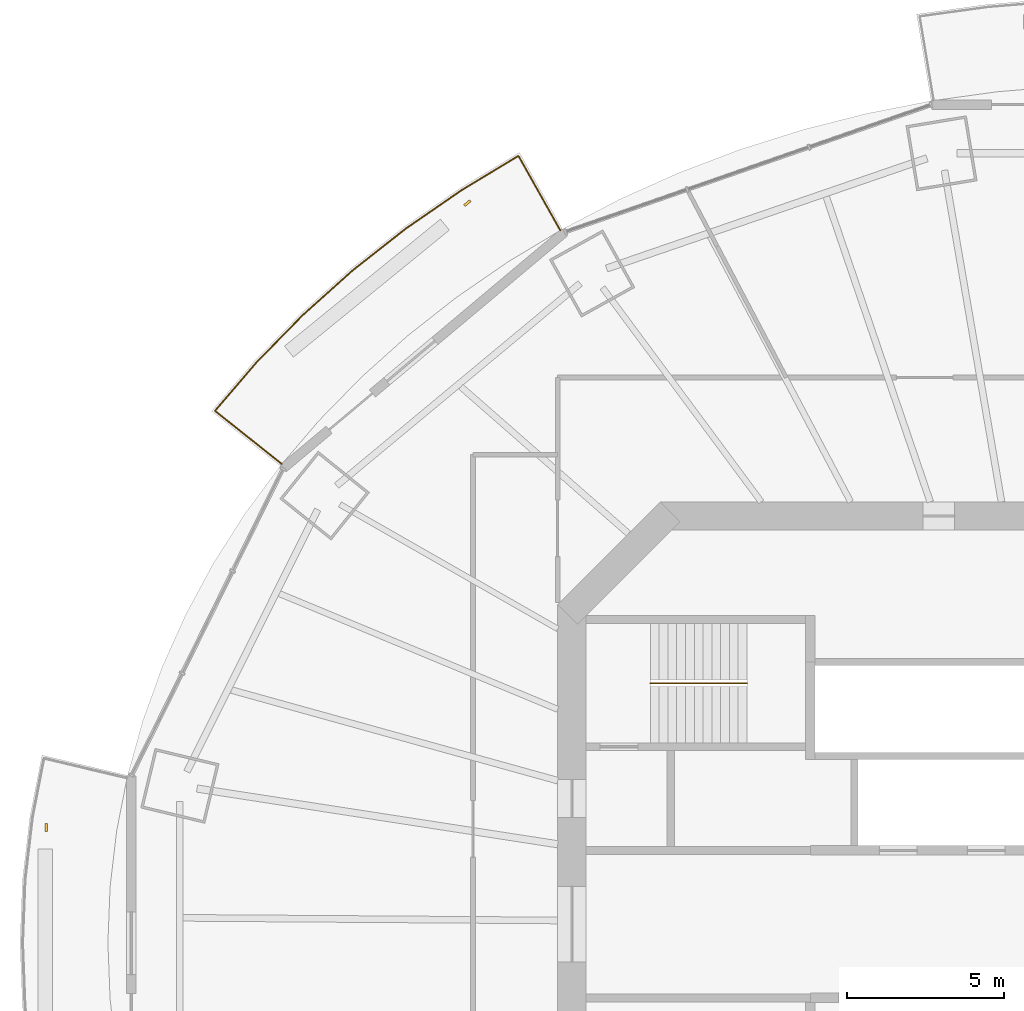
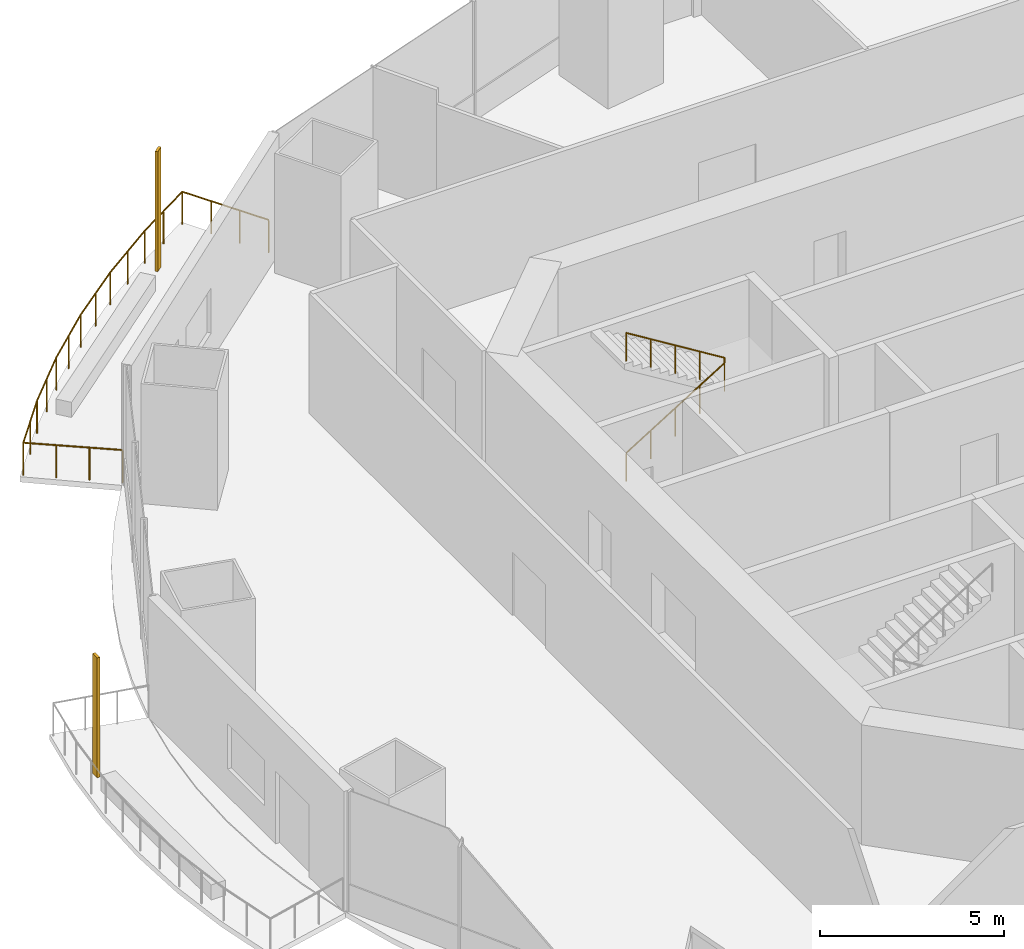
# One storey, part 17 of 20: 2 railings, 2 shading devices.
"""IFC4 building model written with IfcOpenShell, lengths in metres."""

from ifc_helpers import new_model, si_unit, direction, frame, origin, origin_2d, place, context, subcontext, project, spatial, rectangle, circle, extrude, material, material_profile, profile_set, type_object, element, save


model = new_model("IFC4")

# Units and contexts
model_context = context("Model", 3, precision=1e-05, world=origin(), true_north=direction((0.0, 1.0)))
body_context = subcontext(model_context, "Body", "Model", "MODEL_VIEW")
ifc_project = project(units=[si_unit("LENGTHUNIT", "METRE"), si_unit("AREAUNIT", "SQUARE_METRE"), si_unit("VOLUMEUNIT", "CUBIC_METRE"), si_unit("PLANEANGLEUNIT", "RADIAN"), si_unit("MASSUNIT", "GRAM", prefix="KILO")], contexts=[model_context])

# Site, building, storey
site_placement = place(None, origin())
site = spatial("IfcSite", under=ifc_project, at=site_placement, CompositionType="ELEMENT")
building_placement = place(site_placement, origin())
building = spatial("IfcBuilding", under=site, at=building_placement, Name="Marenthal Gate Tower", CompositionType="ELEMENT")
storey_placement = place(building_placement, frame((0.0, 0.0, 181.800048828125)))
storey = spatial("IfcBuildingStorey", under=building, at=storey_placement, Name="L39", CompositionType="ELEMENT", Elevation=181.800048828125)

# Railings
ifc_material_1 = material(Name="Stainless steel", Category="steel")
railing_type_1 = type_object("IfcRailingType", Name="Balcony guard 1100", PredefinedType="GUARDRAIL", material=ifc_material_1)
railing_1_placement = place(storey_placement, frame((-25.237060546875, 14.6552734375, 0.0)))
element("IfcRailing", 1, at=railing_1_placement, inside=storey, type_object=railing_type_1, Name="Balcony guard L39 bay 6", PredefinedType="GUARDRAIL", context=body_context, shape_type="SweptSolid", body=[
    extrude(circle(Radius=0.02392578125, at=origin_2d()), frame((0.0, 0.0, 1.076171875), z_axis=(-0.782619614183, 0.622326193205, -0.014718992744), x_axis=(-0.622393617256, -0.78270440474, 0.0)), (0.0, 0.0, 1.0), 2.72021484375),
    extrude(circle(Radius=0.02392578125, at=origin_2d()), frame((-2.12890625, 1.69287109375, 1.0361328125), z_axis=(0.650253316772, 0.75971746329, 0.0), x_axis=(-0.75971746329, 0.650253316772, 0.0)), (0.0, 0.0, 1.0), 2.0185546875),
    extrude(circle(Radius=0.02392578125, at=origin_2d()), frame((-0.81640625, 3.226318359375, 1.0361328125), z_axis=(0.699041593695, 0.715081009595, 0.0), x_axis=(-0.715081009595, 0.699041593695, 0.0)), (0.0, 0.0, 1.0), 2.11572265625),
    extrude(circle(Radius=0.02392578125, at=origin_2d()), frame((0.66259765625, 4.7392578125, 1.0361328125), z_axis=(0.744657655952, 0.667446608676, 0.0), x_axis=(-0.667446608676, 0.744657655952, 0.0)), (0.0, 0.0, 1.0), 2.13427734375),
    extrude(circle(Radius=0.02392578125, at=origin_2d()), frame((2.251953125, 6.163818359375, 1.0361328125), z_axis=(0.786086084663, 0.618117033821, 0.0), x_axis=(-0.618117033821, 0.786086084663, 0.0)), (0.0, 0.0, 1.0), 2.152587890625),
    extrude(circle(Radius=0.02392578125, at=origin_2d()), frame((3.944091796875, 7.494384765625, 1.0361328125), z_axis=(0.823509936294, 0.567301846308, 0.0), x_axis=(-0.567301846308, 0.823509936294, 0.0)), (0.0, 0.0, 1.0), 2.170654296875),
    extrude(circle(Radius=0.02392578125, at=origin_2d()), frame((5.731689453125, 8.725830078125, 1.0361328125), z_axis=(0.856264483042, 0.516537641494, 0.0), x_axis=(-0.516537641494, 0.856264483042, 0.0)), (0.0, 0.0, 1.0), 2.1083984375),
    extrude(circle(Radius=0.02392578125, at=origin_2d()), frame((7.537109375, 9.81494140625, 1.0361328125), z_axis=(0.4893727887, -0.871950488724, 0.014717978608), x_axis=(0.872044944545, 0.489425801009, 0.0)), (0.0, 0.0, 1.0), 2.720458984375),
    extrude(circle(Radius=0.02099609375, at=origin_2d()), origin(), (0.0, 0.0, 1.0), 1.052001953125),
    extrude(circle(Radius=0.02099609375, at=origin_2d()), frame((-0.709716796875, 0.564208984375, -0.013427734375)), (0.0, 0.0, 1.0), 1.052001953125),
    extrude(circle(Radius=0.02099609375, at=origin_2d()), frame((-1.419189453125, 1.128662109375, -0.026611328125)), (0.0, 0.0, 1.0), 1.052001953125),
    extrude(circle(Radius=0.02099609375, at=origin_2d()), frame((-2.12890625, 1.69287109375, -0.0400390625)), (0.0, 0.0, 1.0), 1.052001953125),
    extrude(circle(Radius=0.02099609375, at=origin_2d()), frame((-1.47265625, 2.45947265625, -0.0400390625)), (0.0, 0.0, 1.0), 1.052001953125),
    extrude(circle(Radius=0.02099609375, at=origin_2d()), frame((-0.81640625, 3.226318359375, -0.0400390625)), (0.0, 0.0, 1.0), 1.052001953125),
    extrude(circle(Radius=0.02099609375, at=origin_2d()), frame((-0.076904296875, 3.98291015625, -0.0400390625)), (0.0, 0.0, 1.0), 1.052001953125),
    extrude(circle(Radius=0.02099609375, at=origin_2d()), frame((0.66259765625, 4.7392578125, -0.0400390625)), (0.0, 0.0, 1.0), 1.052001953125),
    extrude(circle(Radius=0.02099609375, at=origin_2d()), frame((1.457275390625, 5.45166015625, -0.0400390625)), (0.0, 0.0, 1.0), 1.052001953125),
    extrude(circle(Radius=0.02099609375, at=origin_2d()), frame((2.251953125, 6.163818359375, -0.0400390625)), (0.0, 0.0, 1.0), 1.052001953125),
    extrude(circle(Radius=0.02099609375, at=origin_2d()), frame((3.09814453125, 6.8291015625, -0.0400390625)), (0.0, 0.0, 1.0), 1.052001953125),
    extrude(circle(Radius=0.02099609375, at=origin_2d()), frame((3.944091796875, 7.494384765625, -0.0400390625)), (0.0, 0.0, 1.0), 1.052001953125),
    extrude(circle(Radius=0.02099609375, at=origin_2d()), frame((4.837890625, 8.110107421875, -0.0400390625)), (0.0, 0.0, 1.0), 1.052001953125),
    extrude(circle(Radius=0.02099609375, at=origin_2d()), frame((5.731689453125, 8.725830078125, -0.0400390625)), (0.0, 0.0, 1.0), 1.052001953125),
    extrude(circle(Radius=0.02099609375, at=origin_2d()), frame((6.63427734375, 9.2705078125, -0.0400390625)), (0.0, 0.0, 1.0), 1.052001953125),
    extrude(circle(Radius=0.02099609375, at=origin_2d()), frame((7.537109375, 9.81494140625, -0.0400390625)), (0.0, 0.0, 1.0), 1.052001953125),
    extrude(circle(Radius=0.02099609375, at=origin_2d()), frame((7.98095703125, 9.024169921875, -0.026611328125)), (0.0, 0.0, 1.0), 1.052001953125),
    extrude(circle(Radius=0.02099609375, at=origin_2d()), frame((8.424560546875, 8.233642578125, -0.013427734375)), (0.0, 0.0, 1.0), 1.052001953125),
    extrude(circle(Radius=0.02099609375, at=origin_2d()), frame((8.868408203125, 7.44287109375, 0.0)), (0.0, 0.0, 1.0), 1.052001953125),
])
ifc_material_2 = material(Name="Stainless steel", Category="steel")
railing_type_2 = type_object("IfcRailingType", Name="Stair handrail", PredefinedType="HANDRAIL", material=ifc_material_2)
railing_2_placement = place(storey_placement, frame((-13.5, 7.675048828125, 0.1728515625)))
element("IfcRailing", 2, at=railing_2_placement, inside=storey, type_object=railing_type_2, Name="Handrail ST1", PredefinedType="HANDRAIL", context=body_context, shape_type="SweptSolid", body=[
    extrude(circle(Radius=0.0224609375, at=origin_2d()), frame((0.0, 0.0, 0.927490234375), z_axis=(0.850835241893, 0.0, 0.525432575268), x_axis=(0.0, 1.0, 0.0)), (0.0, 0.0, 1.0), 3.6201171875),
    extrude(circle(Radius=0.0224609375, at=origin_2d()), frame((3.080078125, 0.0, 2.82958984375), z_axis=(0.0, 0.0, 1.0), x_axis=(1.0, 0.0, 0.0)), (0.0, 0.0, 1.0), 0.1728515625),
    extrude(circle(Radius=0.0224609375, at=origin_2d()), frame((3.080078125, 0.0, 3.00244140625), z_axis=(-0.850835241893, 0.0, 0.525432575268), x_axis=(0.0, -1.0, 0.0)), (0.0, 0.0, 1.0), 3.6201171875),
    extrude(circle(Radius=0.02001953125, at=origin_2d()), origin(), (0.0, 0.0, 1.0), 0.905029296875),
    extrude(circle(Radius=0.02001953125, at=origin_2d()), frame((0.77001953125, 0.0, 0.4755859375)), (0.0, 0.0, 1.0), 0.905029296875),
    extrude(circle(Radius=0.02001953125, at=origin_2d()), frame((1.5400390625, 0.0, 0.951171875)), (0.0, 0.0, 1.0), 0.905029296875),
    extrude(circle(Radius=0.02001953125, at=origin_2d()), frame((2.31005859375, 0.0, 1.426513671875)), (0.0, 0.0, 1.0), 0.905029296875),
    extrude(circle(Radius=0.02001953125, at=origin_2d()), frame((3.080078125, 0.0, 1.902099609375)), (0.0, 0.0, 1.0), 0.905029296875),
    extrude(circle(Radius=0.02001953125, at=origin_2d()), frame((3.080078125, 0.0, 2.074951171875)), (0.0, 0.0, 1.0), 0.905029296875),
    extrude(circle(Radius=0.02001953125, at=origin_2d()), frame((2.31005859375, 0.0, 2.550537109375)), (0.0, 0.0, 1.0), 0.905029296875),
    extrude(circle(Radius=0.02001953125, at=origin_2d()), frame((1.5400390625, 0.0, 3.02587890625)), (0.0, 0.0, 1.0), 0.905029296875),
    extrude(circle(Radius=0.02001953125, at=origin_2d()), frame((0.77001953125, 0.0, 3.50146484375)), (0.0, 0.0, 1.0), 0.905029296875),
    extrude(circle(Radius=0.02001953125, at=origin_2d()), frame((0.0, 0.0, 3.97705078125)), (0.0, 0.0, 1.0), 0.905029296875),
])

# Shading devices
ifc_material_3 = material(Name="Terracotta", Category="masonry")
ifc_material_profile = material_profile(ifc_material_3, rectangle(XDim=0.25, YDim=0.080078125, at=origin_2d()), Name="Terracotta baguette 250x80")
ifc_profile_set = profile_set([ifc_material_profile], Name="Terracotta")
shading_device_type = type_object("IfcShadingDeviceType", Name="Terracotta BAGUETTE SCREEN 250x80", PredefinedType="USERDEFINED", material=ifc_profile_set)
for number, where, z_axis, x_axis, name in (
    (3, (-19.32763671875, 22.964599609375, -0.0400390625), (0.0, 0.0, 1.0), (-0.765850387542, -0.643018805247, 0.0), "Terracotta BAGUETTE L39 bay 6L"),
    (4, (-32.7451171875, 3.08056640625, -0.0400390625), (0.0, 0.0, 1.0), (0.0, -1.0, 0.0), "Terracotta BAGUETTE L39 bay 8L"),
):
    element("IfcShadingDevice", number, at=place(storey_placement, frame(where, z_axis=z_axis, x_axis=x_axis)), inside=storey, type_object=shading_device_type, Name=name, ObjectType="BAGUETTE SCREEN", PredefinedType="USERDEFINED", context=body_context, shape_type="SweptSolid", body=[
        extrude(rectangle(XDim=0.25, YDim=0.080078125, at=origin_2d()), origin(), (0.0, 0.0, 1.0), 3.969970703125),
    ])

save(model, "model.ifc")
